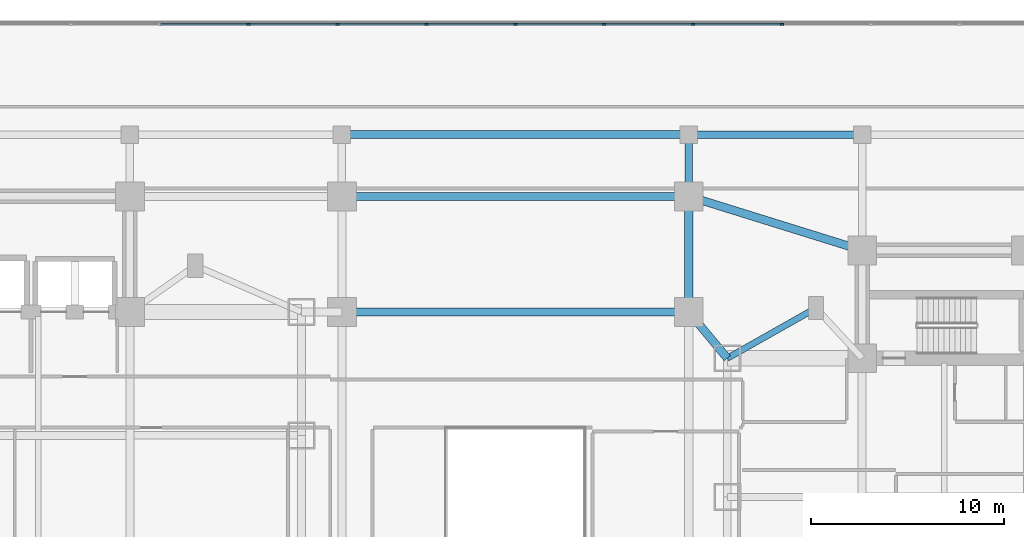
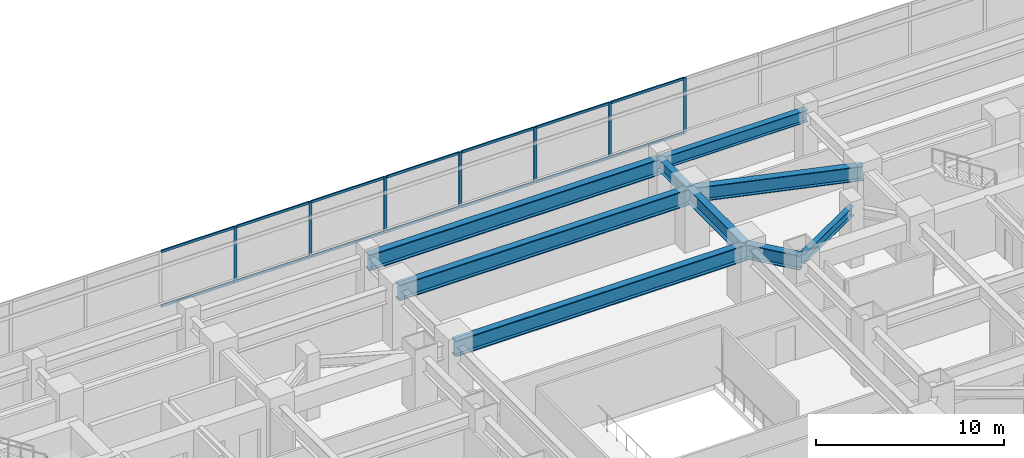
# One storey, part 7 of 26: 21 members, 9 beams, 1 element without a shape of its own.
"""IFC4 building model written with IfcOpenShell, lengths in metres."""

from ifc_helpers import new_model, si_unit, direction, frame, origin, origin_2d, place, context, subcontext, project, spatial, rectangle, i_section, extrude, material, material_profile, profile_set, type_object, element, aggregate, save


model = new_model("IFC4")

# Units and contexts
model_context = context("Model", 3, precision=1e-05, world=origin(), true_north=direction((0.0, 1.0)))
body_context = subcontext(model_context, "Body", "Model", "MODEL_VIEW")
ifc_project = project(units=[si_unit("LENGTHUNIT", "METRE"), si_unit("AREAUNIT", "SQUARE_METRE"), si_unit("VOLUMEUNIT", "CUBIC_METRE"), si_unit("PLANEANGLEUNIT", "RADIAN"), si_unit("MASSUNIT", "GRAM", prefix="KILO")], contexts=[model_context])

# Site, building, storey
site_placement = place(None, origin())
site = spatial("IfcSite", under=ifc_project, at=site_placement, CompositionType="ELEMENT")
building_placement = place(site_placement, origin())
building = spatial("IfcBuilding", under=site, at=building_placement, Name="Mirazonda Arch Towers", CompositionType="ELEMENT")
storey_placement = place(building_placement, frame((0.0, 0.0, 13.800048828125)))
storey = spatial("IfcBuildingStorey", under=building, at=storey_placement, Name="L03", CompositionType="ELEMENT", Elevation=13.800048828125)

# Beams
ifc_material_1 = material(Name="Steel ASTM A992 Grade 50", Category="steel")
ifc_material_profile_1 = material_profile(ifc_material_1, i_section(OverallWidth=0.381103515625, OverallDepth=0.77294921875, WebThickness=0.0166015625, FlangeThickness=0.027099609375, at=origin_2d()), Name="W30X173")
ifc_profile_set_1 = profile_set([ifc_material_profile_1], Name="Steel ASTM A992 Grade 50")
beam_type_1 = type_object("IfcBeamType", Name="BM-EXT-W30X173", PredefinedType="USERDEFINED", material=ifc_profile_set_1)
beam_1_placement = place(storey_placement, frame((59.0, 46.800048828125, 3.263427734375), z_axis=(1.0, 0.0, 0.0), x_axis=(0.0, 1.0, 0.0)))
element("IfcBeam", 1, at=beam_1_placement, inside=storey, type_object=beam_type_1, Name="L03 Floor Beam BM-POD-L03-PN-4", ObjectType="GIRDER", PredefinedType="USERDEFINED", context=body_context, shape_type="SweptSolid", body=[
    extrude(i_section(OverallWidth=0.381103515625, OverallDepth=0.77294921875, WebThickness=0.0166015625, FlangeThickness=0.027099609375, at=origin_2d()), origin(), (0.0, 0.0, 1.0), 9.0),
])
ifc_material_profile_2 = material_profile(ifc_material_1, i_section(OverallWidth=0.423095703125, OverallDepth=0.947998046875, WebThickness=0.02392578125, FlangeThickness=0.042724609375, at=origin_2d()), Name="W36X302")
ifc_profile_set_2 = profile_set([ifc_material_profile_2], Name="Steel ASTM A992 Grade 50")
beam_type_2 = type_object("IfcBeamType", Name="BM-EXT-W36X302", PredefinedType="USERDEFINED", material=ifc_profile_set_2)
beam_2_placement = place(storey_placement, frame((59.0, 37.60009765625, 3.176025390625), z_axis=(0.0, 1.0, 0.0), x_axis=(-1.0, 0.0, 0.0)))
element("IfcBeam", 2, at=beam_2_placement, inside=storey, type_object=beam_type_2, Name="L03 Floor Beam BM-POD-L03-PA-EL3", ObjectType="GIRDER", PredefinedType="USERDEFINED", context=body_context, shape_type="SweptSolid", body=[
    extrude(i_section(OverallWidth=0.423095703125, OverallDepth=0.947998046875, WebThickness=0.02392578125, FlangeThickness=0.042724609375, at=origin_2d()), origin(), (0.0, 0.0, 1.0), 6.0),
])
ifc_material_profile_3 = material_profile(ifc_material_1, i_section(OverallWidth=0.419921875, OverallDepth=1.0400390625, WebThickness=0.031005859375, FlangeThickness=0.055908203125, at=origin_2d()), Name="W40X397")
ifc_profile_set_3 = profile_set([ifc_material_profile_3], Name="Steel ASTM A992 Grade 50")
beam_type_3 = type_object("IfcBeamType", Name="BM-EXT-W40X397", PredefinedType="USERDEFINED", material=ifc_profile_set_3)
beam_3_placement = place(storey_placement, frame((41.0, 46.800048828125, 3.1298828125), z_axis=(1.0, 0.0, 0.0), x_axis=(0.0, 1.0, 0.0)))
element("IfcBeam", 3, at=beam_3_placement, inside=storey, type_object=beam_type_3, Name="L03 Floor Beam BM-POD-L03-PARCH-6", ObjectType="GIRDER", PredefinedType="USERDEFINED", context=body_context, shape_type="SweptSolid", body=[
    extrude(i_section(OverallWidth=0.419921875, OverallDepth=1.0400390625, WebThickness=0.031005859375, FlangeThickness=0.055908203125, at=origin_2d()), origin(), (0.0, 0.0, 1.0), 18.0),
])
ifc_material_profile_4 = material_profile(ifc_material_1, i_section(OverallWidth=0.324951171875, OverallDepth=0.615966796875, WebThickness=0.013916015625, FlangeThickness=0.021484375, at=origin_2d()), Name="W24X117")
ifc_profile_set_4 = profile_set([ifc_material_profile_4], Name="Steel ASTM A992 Grade 50")
beam_type_4 = type_object("IfcBeamType", Name="BM-INT-W24X117", PredefinedType="BEAM", material=ifc_profile_set_4)
beam_4_placement = place(storey_placement, frame((65.60009765625, 37.800048828125, 3.342041015625), z_axis=(-0.870559396632, -0.492063346467, 0.0), x_axis=(0.492063346467, -0.870559396632, 0.0)))
element("IfcBeam", 4, at=beam_4_placement, inside=storey, type_object=beam_type_4, Name="L03 Floor Beam BM-T2-L03-PL-NW2", PredefinedType="BEAM", context=body_context, shape_type="SweptSolid", body=[
    extrude(i_section(OverallWidth=0.324951171875, OverallDepth=0.615966796875, WebThickness=0.013916015625, FlangeThickness=0.021484375, at=origin_2d()), origin(), (0.0, 0.0, 1.0), 5.2841796875),
])
ifc_material_profile_5 = material_profile(ifc_material_1, i_section(OverallWidth=0.381103515625, OverallDepth=0.77294921875, WebThickness=0.0166015625, FlangeThickness=0.027099609375, at=origin_2d()), Name="W30X173")
ifc_profile_set_5 = profile_set([ifc_material_profile_5], Name="Steel ASTM A992 Grade 50")
beam_type_5 = type_object("IfcBeamType", Name="BM-INT-W30X173", PredefinedType="USERDEFINED", material=ifc_profile_set_5)
beam_5_placement = place(storey_placement, frame((59.0, 43.60009765625, 3.263427734375), z_axis=(0.0, 1.0, 0.0), x_axis=(-1.0, 0.0, 0.0)))
element("IfcBeam", 5, at=beam_5_placement, inside=storey, type_object=beam_type_5, Name="L03 Floor Beam BM-POD-L03-PCN-5", ObjectType="GIRDER", PredefinedType="USERDEFINED", context=body_context, shape_type="SweptSolid", body=[
    extrude(i_section(OverallWidth=0.381103515625, OverallDepth=0.77294921875, WebThickness=0.0166015625, FlangeThickness=0.027099609375, at=origin_2d()), origin(), (0.0, 0.0, 1.0), 3.199951171875),
])
ifc_material_profile_6 = material_profile(ifc_material_1, i_section(OverallWidth=0.423095703125, OverallDepth=0.947998046875, WebThickness=0.02392578125, FlangeThickness=0.042724609375, at=origin_2d()), Name="W36X302")
ifc_profile_set_6 = profile_set([ifc_material_profile_6], Name="Steel ASTM A992 Grade 50")
beam_type_6 = type_object("IfcBeamType", Name="BM-INT-W36X302", PredefinedType="USERDEFINED", material=ifc_profile_set_6)
beam_6_placement = place(storey_placement, frame((59.0, 37.60009765625, 3.176025390625), z_axis=(0.640161340286, -0.76824049516, 0.0), x_axis=(0.76824049516, 0.640161340286, 0.0)))
element("IfcBeam", 6, at=beam_6_placement, inside=storey, type_object=beam_type_6, Name="L03 Floor Beam BM-POD-L03-PA-E3", ObjectType="GIRDER", PredefinedType="USERDEFINED", context=body_context, shape_type="SweptSolid", body=[
    extrude(i_section(OverallWidth=0.423095703125, OverallDepth=0.947998046875, WebThickness=0.02392578125, FlangeThickness=0.042724609375, at=origin_2d()), origin(), (0.0, 0.0, 1.0), 3.124267578125),
])
beam_7_placement = place(storey_placement, frame((59.0, 43.60009765625, 3.176025390625), z_axis=(0.954855306861, -0.29707127589, 0.0), x_axis=(0.29707127589, 0.954855306861, 0.0)))
element("IfcBeam", 7, at=beam_7_placement, inside=storey, type_object=beam_type_6, Name="L03 Floor Beam BM-POD-L03-PA-E4", ObjectType="GIRDER", PredefinedType="USERDEFINED", context=body_context, shape_type="SweptSolid", body=[
    extrude(i_section(OverallWidth=0.423095703125, OverallDepth=0.947998046875, WebThickness=0.02392578125, FlangeThickness=0.042724609375, at=origin_2d()), origin(), (0.0, 0.0, 1.0), 9.425537109375),
])
ifc_material_profile_7 = material_profile(ifc_material_1, i_section(OverallWidth=0.419921875, OverallDepth=1.0400390625, WebThickness=0.031005859375, FlangeThickness=0.055908203125, at=origin_2d()), Name="W40X397")
ifc_profile_set_7 = profile_set([ifc_material_profile_7], Name="Steel ASTM A992 Grade 50")
beam_type_7 = type_object("IfcBeamType", Name="BM-INT-W40X397", PredefinedType="USERDEFINED", material=ifc_profile_set_7)
for number, where, z_axis, x_axis, name in (
    (8, (41.0, 37.60009765625, 3.1298828125), (1.0, 0.0, 0.0), (0.0, 1.0, 0.0), "L03 Floor Beam BM-POD-L03-PARCH-4"),
    (9, (41.0, 43.60009765625, 3.1298828125), (1.0, 0.0, 0.0), (0.0, 1.0, 0.0), "L03 Floor Beam BM-POD-L03-PARCH-5"),
):
    element("IfcBeam", number, at=place(storey_placement, frame(where, z_axis=z_axis, x_axis=x_axis)), inside=storey, type_object=beam_type_7, Name=name, ObjectType="GIRDER", PredefinedType="USERDEFINED", context=body_context, shape_type="SweptSolid", body=[
        extrude(i_section(OverallWidth=0.419921875, OverallDepth=1.0400390625, WebThickness=0.031005859375, FlangeThickness=0.055908203125, at=origin_2d()), origin(), (0.0, 0.0, 1.0), 18.0),
    ])

# Curtain wall, members
ifc_material_2 = material(Name="Anodised Aluminium and Low-E Glass", Category="aluminium")
curtain_wall_type = type_object("IfcCurtainWallType", Name="CW-POD-STORE", PredefinedType="NOTDEFINED", material=ifc_material_2)
curtain_wall_placement = place(storey_placement, origin())
curtain_wall = element("IfcCurtainWall", 10, at=curtain_wall_placement, inside=storey, type_object=curtain_wall_type, Name="L03 Curtain Wall CW-L03-N1", PredefinedType="NOTDEFINED")
ifc_material_3 = material(Name="Anodised Aluminium Alloy", Category="aluminium")
ifc_material_profile_8 = material_profile(ifc_material_3, rectangle(XDim=0.080078125, YDim=0.179931640625, at=origin_2d()), Name="ALU-MULL-80x180")
ifc_profile_set_8 = profile_set([ifc_material_profile_8], Name="Anodised Aluminium Alloy")
member_type_1 = type_object("IfcMemberType", Name="MULL-CW-POD-STORE", PredefinedType="MULLION", material=ifc_profile_set_8)
member_1_placement = place(storey_placement, frame((36.166748046875, 52.530029296875, 0.0), z_axis=(0.0, 0.0, 1.0), x_axis=(0.0, 1.0, 0.0)))
member_1 = element("IfcMember", 11, at=member_1_placement, type_object=member_type_1, Name="CW-102 mullion 7", PredefinedType="MULLION", context=body_context, shape_type="SweptSolid", body=[
    extrude(rectangle(XDim=0.080078125, YDim=0.179931640625, at=origin_2d()), origin(), (0.0, 0.0, 1.0), 3.6298828125),
])
member_2_placement = place(storey_placement, frame((40.77783203125, 52.530029296875, 0.0), z_axis=(0.0, 0.0, 1.0), x_axis=(0.0, 1.0, 0.0)))
member_2 = element("IfcMember", 12, at=member_2_placement, type_object=member_type_1, Name="CW-102 mullion 8", PredefinedType="MULLION", context=body_context, shape_type="SweptSolid", body=[
    extrude(rectangle(XDim=0.080078125, YDim=0.179931640625, at=origin_2d()), origin(), (0.0, 0.0, 1.0), 3.6298828125),
])
member_3_placement = place(storey_placement, frame((45.388916015625, 52.530029296875, 0.0), z_axis=(0.0, 0.0, 1.0), x_axis=(0.0, 1.0, 0.0)))
member_3 = element("IfcMember", 13, at=member_3_placement, type_object=member_type_1, Name="CW-102 mullion 9", PredefinedType="MULLION", context=body_context, shape_type="SweptSolid", body=[
    extrude(rectangle(XDim=0.080078125, YDim=0.179931640625, at=origin_2d()), origin(), (0.0, 0.0, 1.0), 3.6298828125),
])
member_4_placement = place(storey_placement, frame((50.0, 52.530029296875, 0.0), z_axis=(0.0, 0.0, 1.0), x_axis=(0.0, 1.0, 0.0)))
member_4 = element("IfcMember", 14, at=member_4_placement, type_object=member_type_1, Name="CW-102 mullion 10", PredefinedType="MULLION", context=body_context, shape_type="SweptSolid", body=[
    extrude(rectangle(XDim=0.080078125, YDim=0.179931640625, at=origin_2d()), origin(), (0.0, 0.0, 1.0), 3.6298828125),
])
member_5_placement = place(storey_placement, frame((54.611083984375, 52.530029296875, 0.0), z_axis=(0.0, 0.0, 1.0), x_axis=(0.0, 1.0, 0.0)))
member_5 = element("IfcMember", 15, at=member_5_placement, type_object=member_type_1, Name="CW-102 mullion 11", PredefinedType="MULLION", context=body_context, shape_type="SweptSolid", body=[
    extrude(rectangle(XDim=0.080078125, YDim=0.179931640625, at=origin_2d()), origin(), (0.0, 0.0, 1.0), 3.6298828125),
])
member_6_placement = place(storey_placement, frame((59.22216796875, 52.530029296875, 0.0), z_axis=(0.0, 0.0, 1.0), x_axis=(0.0, 1.0, 0.0)))
member_6 = element("IfcMember", 16, at=member_6_placement, type_object=member_type_1, Name="CW-102 mullion 12", PredefinedType="MULLION", context=body_context, shape_type="SweptSolid", body=[
    extrude(rectangle(XDim=0.080078125, YDim=0.179931640625, at=origin_2d()), origin(), (0.0, 0.0, 1.0), 3.6298828125),
])
member_7_placement = place(storey_placement, frame((63.833251953125, 52.530029296875, 0.0), z_axis=(0.0, 0.0, 1.0), x_axis=(0.0, 1.0, 0.0)))
member_7 = element("IfcMember", 17, at=member_7_placement, type_object=member_type_1, Name="CW-102 mullion 13", PredefinedType="MULLION", context=body_context, shape_type="SweptSolid", body=[
    extrude(rectangle(XDim=0.080078125, YDim=0.179931640625, at=origin_2d()), origin(), (0.0, 0.0, 1.0), 3.6298828125),
])
ifc_material_profile_9 = material_profile(ifc_material_3, rectangle(XDim=0.080078125, YDim=0.159912109375, at=origin_2d()), Name="ALU-TRAN-80x160")
ifc_profile_set_9 = profile_set([ifc_material_profile_9], Name="Anodised Aluminium Alloy")
member_type_2 = type_object("IfcMemberType", Name="TRAN-CW-POD-STORE", PredefinedType="USERDEFINED", material=ifc_profile_set_9)
member_8_placement = place(storey_placement, frame((31.595458984375, 52.530029296875, 0.0400390625), z_axis=(1.0, 0.0, 0.0), x_axis=(0.0, 1.0, 0.0)))
member_8 = element("IfcMember", 18, at=member_8_placement, type_object=member_type_2, Name="CW-102 transom 6.1", ObjectType="TRANSOM", PredefinedType="USERDEFINED", context=body_context, shape_type="SweptSolid", body=[
    extrude(rectangle(XDim=0.080078125, YDim=0.159912109375, at=origin_2d()), origin(), (0.0, 0.0, 1.0), 4.53125),
])
member_9_placement = place(storey_placement, frame((31.595458984375, 52.530029296875, 3.58984375), z_axis=(1.0, 0.0, 0.0), x_axis=(0.0, 1.0, 0.0)))
member_9 = element("IfcMember", 19, at=member_9_placement, type_object=member_type_2, Name="CW-102 transom 6.2", ObjectType="TRANSOM", PredefinedType="USERDEFINED", context=body_context, shape_type="SweptSolid", body=[
    extrude(rectangle(XDim=0.080078125, YDim=0.159912109375, at=origin_2d()), origin(), (0.0, 0.0, 1.0), 4.53125),
])
member_10_placement = place(storey_placement, frame((36.206787109375, 52.530029296875, 0.0400390625), z_axis=(1.0, 0.0, 0.0), x_axis=(0.0, 1.0, 0.0)))
member_10 = element("IfcMember", 20, at=member_10_placement, type_object=member_type_2, Name="CW-102 transom 7.1", ObjectType="TRANSOM", PredefinedType="USERDEFINED", context=body_context, shape_type="SweptSolid", body=[
    extrude(rectangle(XDim=0.080078125, YDim=0.159912109375, at=origin_2d()), origin(), (0.0, 0.0, 1.0), 4.531005859375),
])
member_11_placement = place(storey_placement, frame((36.206787109375, 52.530029296875, 3.58984375), z_axis=(1.0, 0.0, 0.0), x_axis=(0.0, 1.0, 0.0)))
member_11 = element("IfcMember", 21, at=member_11_placement, type_object=member_type_2, Name="CW-102 transom 7.2", ObjectType="TRANSOM", PredefinedType="USERDEFINED", context=body_context, shape_type="SweptSolid", body=[
    extrude(rectangle(XDim=0.080078125, YDim=0.159912109375, at=origin_2d()), origin(), (0.0, 0.0, 1.0), 4.531005859375),
])
member_12_placement = place(storey_placement, frame((40.81787109375, 52.530029296875, 0.0400390625), z_axis=(1.0, 0.0, 0.0), x_axis=(0.0, 1.0, 0.0)))
member_12 = element("IfcMember", 22, at=member_12_placement, type_object=member_type_2, Name="CW-102 transom 8.1", ObjectType="TRANSOM", PredefinedType="USERDEFINED", context=body_context, shape_type="SweptSolid", body=[
    extrude(rectangle(XDim=0.080078125, YDim=0.159912109375, at=origin_2d()), origin(), (0.0, 0.0, 1.0), 4.531005859375),
])
member_13_placement = place(storey_placement, frame((40.81787109375, 52.530029296875, 3.58984375), z_axis=(1.0, 0.0, 0.0), x_axis=(0.0, 1.0, 0.0)))
member_13 = element("IfcMember", 23, at=member_13_placement, type_object=member_type_2, Name="CW-102 transom 8.2", ObjectType="TRANSOM", PredefinedType="USERDEFINED", context=body_context, shape_type="SweptSolid", body=[
    extrude(rectangle(XDim=0.080078125, YDim=0.159912109375, at=origin_2d()), origin(), (0.0, 0.0, 1.0), 4.531005859375),
])
member_14_placement = place(storey_placement, frame((45.428955078125, 52.530029296875, 0.0400390625), z_axis=(1.0, 0.0, 0.0), x_axis=(0.0, 1.0, 0.0)))
member_14 = element("IfcMember", 24, at=member_14_placement, type_object=member_type_2, Name="CW-102 transom 9.1", ObjectType="TRANSOM", PredefinedType="USERDEFINED", context=body_context, shape_type="SweptSolid", body=[
    extrude(rectangle(XDim=0.080078125, YDim=0.159912109375, at=origin_2d()), origin(), (0.0, 0.0, 1.0), 4.531005859375),
])
member_15_placement = place(storey_placement, frame((45.428955078125, 52.530029296875, 3.58984375), z_axis=(1.0, 0.0, 0.0), x_axis=(0.0, 1.0, 0.0)))
member_15 = element("IfcMember", 25, at=member_15_placement, type_object=member_type_2, Name="CW-102 transom 9.2", ObjectType="TRANSOM", PredefinedType="USERDEFINED", context=body_context, shape_type="SweptSolid", body=[
    extrude(rectangle(XDim=0.080078125, YDim=0.159912109375, at=origin_2d()), origin(), (0.0, 0.0, 1.0), 4.531005859375),
])
member_16_placement = place(storey_placement, frame((50.0400390625, 52.530029296875, 0.0400390625), z_axis=(1.0, 0.0, 0.0), x_axis=(0.0, 1.0, 0.0)))
member_16 = element("IfcMember", 26, at=member_16_placement, type_object=member_type_2, Name="CW-102 transom 10.1", ObjectType="TRANSOM", PredefinedType="USERDEFINED", context=body_context, shape_type="SweptSolid", body=[
    extrude(rectangle(XDim=0.080078125, YDim=0.159912109375, at=origin_2d()), origin(), (0.0, 0.0, 1.0), 4.531005859375),
])
member_17_placement = place(storey_placement, frame((50.0400390625, 52.530029296875, 3.58984375), z_axis=(1.0, 0.0, 0.0), x_axis=(0.0, 1.0, 0.0)))
member_17 = element("IfcMember", 27, at=member_17_placement, type_object=member_type_2, Name="CW-102 transom 10.2", ObjectType="TRANSOM", PredefinedType="USERDEFINED", context=body_context, shape_type="SweptSolid", body=[
    extrude(rectangle(XDim=0.080078125, YDim=0.159912109375, at=origin_2d()), origin(), (0.0, 0.0, 1.0), 4.531005859375),
])
member_18_placement = place(storey_placement, frame((54.651123046875, 52.530029296875, 0.0400390625), z_axis=(1.0, 0.0, 0.0), x_axis=(0.0, 1.0, 0.0)))
member_18 = element("IfcMember", 28, at=member_18_placement, type_object=member_type_2, Name="CW-102 transom 11.1", ObjectType="TRANSOM", PredefinedType="USERDEFINED", context=body_context, shape_type="SweptSolid", body=[
    extrude(rectangle(XDim=0.080078125, YDim=0.159912109375, at=origin_2d()), origin(), (0.0, 0.0, 1.0), 4.531005859375),
])
member_19_placement = place(storey_placement, frame((54.651123046875, 52.530029296875, 3.58984375), z_axis=(1.0, 0.0, 0.0), x_axis=(0.0, 1.0, 0.0)))
member_19 = element("IfcMember", 29, at=member_19_placement, type_object=member_type_2, Name="CW-102 transom 11.2", ObjectType="TRANSOM", PredefinedType="USERDEFINED", context=body_context, shape_type="SweptSolid", body=[
    extrude(rectangle(XDim=0.080078125, YDim=0.159912109375, at=origin_2d()), origin(), (0.0, 0.0, 1.0), 4.531005859375),
])
member_20_placement = place(storey_placement, frame((59.26220703125, 52.530029296875, 0.0400390625), z_axis=(1.0, 0.0, 0.0), x_axis=(0.0, 1.0, 0.0)))
member_20 = element("IfcMember", 30, at=member_20_placement, type_object=member_type_2, Name="CW-102 transom 12.1", ObjectType="TRANSOM", PredefinedType="USERDEFINED", context=body_context, shape_type="SweptSolid", body=[
    extrude(rectangle(XDim=0.080078125, YDim=0.159912109375, at=origin_2d()), origin(), (0.0, 0.0, 1.0), 4.531005859375),
])
member_21_placement = place(storey_placement, frame((59.26220703125, 52.530029296875, 3.58984375), z_axis=(1.0, 0.0, 0.0), x_axis=(0.0, 1.0, 0.0)))
member_21 = element("IfcMember", 31, at=member_21_placement, type_object=member_type_2, Name="CW-102 transom 12.2", ObjectType="TRANSOM", PredefinedType="USERDEFINED", context=body_context, shape_type="SweptSolid", body=[
    extrude(rectangle(XDim=0.080078125, YDim=0.159912109375, at=origin_2d()), origin(), (0.0, 0.0, 1.0), 4.531005859375),
])
aggregate(curtain_wall, [member_1, member_2, member_3, member_4, member_5, member_6, member_7, member_8, member_9, member_10, member_11, member_12, member_13, member_14, member_15, member_16, member_17, member_18, member_19, member_20, member_21])

save(model, "model.ifc")
